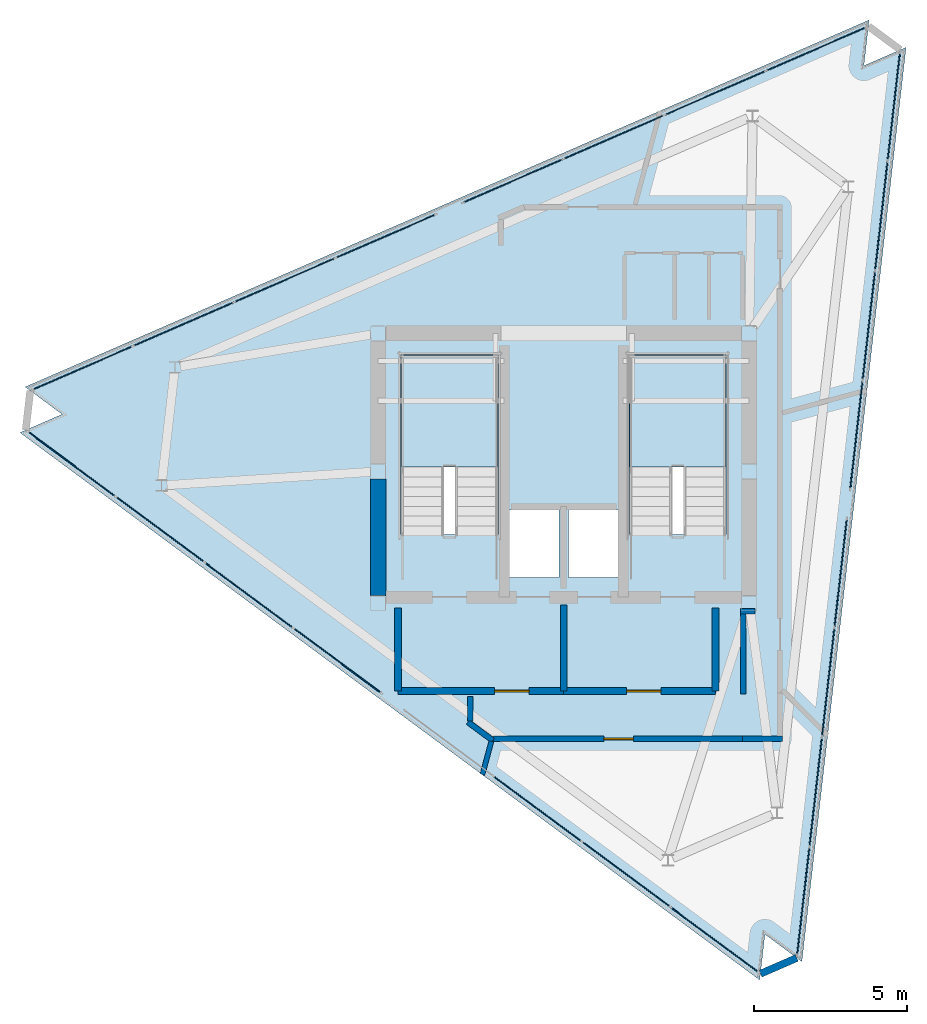
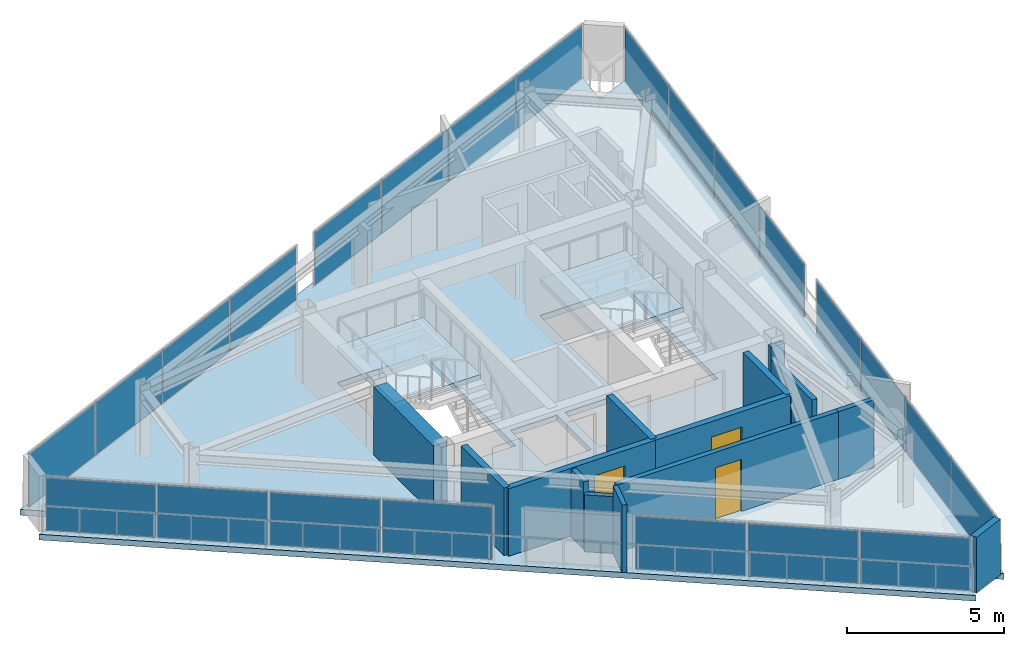
# One storey, part 6 of 9: 23 plates, 14 walls, 3 doors, 3 slabs, 3 openings, 8 elements without a shape of their own.
"""IFC4 building model written with IfcOpenShell, lengths in metres."""

from ifc_helpers import new_model, si_unit, direction, frame, frame_2d, origin, origin_2d, place, context, subcontext, project, spatial, polyline, rectangle, outline, extrude, material, layer, layer_set, type_object, element, fill, aggregate, save


model = new_model("IFC4")

# Units and contexts
model_context = context("Model", 3, precision=1e-05, world=origin(), true_north=direction((0.0, 1.0)))
body_context = subcontext(model_context, "Body", "Model", "MODEL_VIEW")
ifc_project = project(units=[si_unit("LENGTHUNIT", "METRE"), si_unit("AREAUNIT", "SQUARE_METRE"), si_unit("VOLUMEUNIT", "CUBIC_METRE"), si_unit("PLANEANGLEUNIT", "RADIAN"), si_unit("MASSUNIT", "GRAM", prefix="KILO")], contexts=[model_context])

# Site, building, storey
site_placement = place(None, origin())
site = spatial("IfcSite", under=ifc_project, at=site_placement, CompositionType="ELEMENT")
building_placement = place(site_placement, origin())
building = spatial("IfcBuilding", under=site, at=building_placement, Name="Rocaltana Carrier Exchange", CompositionType="ELEMENT")
storey_placement = place(building_placement, frame((0.0, 0.0, 246.239990234375)))
storey = spatial("IfcBuildingStorey", under=building, at=storey_placement, Name="L78", CompositionType="ELEMENT", Elevation=246.239990234375)

# Curtain wall, plates
ifc_material_1 = material(Name="Aluminium 6063-T6", Category="aluminium")
ifc_layer_1 = layer(ifc_material_1, 0.110107421875)
ifc_layer_set_1 = layer_set([ifc_layer_1], Name="Aluminium 6063-T6")
curtain_wall_type = type_object("IfcCurtainWallType", Name="Crown Lantern Faceted Curtain Wall CW-06", PredefinedType="NOTDEFINED", material=ifc_layer_set_1)
curtain_wall_1_placement = place(storey_placement, origin())
curtain_wall_1 = element("IfcCurtainWall", 1, at=curtain_wall_1_placement, inside=storey, type_object=curtain_wall_type, Name="L78 CW-06 Run CW06-L78-F1S1", PredefinedType="NOTDEFINED")
ifc_material_2 = material(Name="Tempered Laminated Glass", Category="glass")
ifc_layer_2 = layer(ifc_material_2, 0.033935546875)
ifc_layer_set_2 = layer_set([ifc_layer_2], Name="Tempered Laminated Glass")
plate_type = type_object("IfcPlateType", Name="CW-06 Stone-Insulated Vision Panel", PredefinedType="CURTAIN_PANEL", material=ifc_layer_set_2)
plate_1_placement = place(storey_placement, frame((7.810546875, -14.010498046875, 0.054931640625), z_axis=(0.0, 0.0, 1.0), x_axis=(0.113207757829, 0.993571337936, 0.0)))
plate_1 = element("IfcPlate", 2, at=plate_1_placement, type_object=plate_type, Name="CW-06 panel 1.1", PredefinedType="CURTAIN_PANEL", context=body_context, shape_type="SweptSolid", body=[
    extrude(rectangle(XDim=3.517578125, YDim=0.033935546875, at=origin_2d()), origin(), (0.0, 0.0, 1.0), 2.05810546875),
])
plate_2_placement = place(storey_placement, frame((8.21630859375, -10.447265625, 0.054931640625), z_axis=(0.0, 0.0, 1.0), x_axis=(0.113207757829, 0.993571337936, 0.0)))
plate_2 = element("IfcPlate", 3, at=plate_2_placement, type_object=plate_type, Name="CW-06 panel 2.1", PredefinedType="CURTAIN_PANEL", context=body_context, shape_type="SweptSolid", body=[
    extrude(rectangle(XDim=3.544921875, YDim=0.033935546875, at=origin_2d()), origin(), (0.0, 0.0, 1.0), 2.05810546875),
])
plate_3_placement = place(storey_placement, frame((8.6240234375, -6.870361328125, 0.054931640625), z_axis=(0.0, 0.0, 1.0), x_axis=(0.113207757829, 0.993571337936, 0.0)))
plate_3 = element("IfcPlate", 4, at=plate_3_placement, type_object=plate_type, Name="CW-06 panel 3.1", PredefinedType="CURTAIN_PANEL", context=body_context, shape_type="SweptSolid", body=[
    extrude(rectangle(XDim=3.544921875, YDim=0.033935546875, at=origin_2d()), origin(), (0.0, 0.0, 1.0), 2.05810546875),
])
plate_4_placement = place(storey_placement, frame((9.030029296875, -3.30712890625, 0.054931640625), z_axis=(0.0, 0.0, 1.0), x_axis=(0.113207757829, 0.993571337936, 0.0)))
plate_4 = element("IfcPlate", 5, at=plate_4_placement, type_object=plate_type, Name="CW-06 panel 4.1", PredefinedType="CURTAIN_PANEL", context=body_context, shape_type="SweptSolid", body=[
    extrude(rectangle(XDim=3.517578125, YDim=0.033935546875, at=origin_2d()), origin(), (0.0, 0.0, 1.0), 2.05810546875),
])
aggregate(curtain_wall_1, [plate_1, plate_2, plate_3, plate_4])

curtain_wall_2_placement = place(storey_placement, origin())
curtain_wall_2 = element("IfcCurtainWall", 6, at=curtain_wall_2_placement, inside=storey, type_object=curtain_wall_type, Name="L78 CW-06 Run CW06-L78-F1S2", PredefinedType="NOTDEFINED")
plate_5_placement = place(storey_placement, frame((9.54248046875, 1.191162109375, 0.054931640625), z_axis=(0.0, 0.0, 1.0), x_axis=(0.113208538941, 0.993571248935, 0.0)))
plate_5 = element("IfcPlate", 7, at=plate_5_placement, type_object=plate_type, Name="CW-06 panel 1.1", PredefinedType="CURTAIN_PANEL", context=body_context, shape_type="SweptSolid", body=[
    extrude(rectangle(XDim=3.517578125, YDim=0.033935546875, at=origin_2d()), origin(), (0.0, 0.0, 1.0), 2.05810546875),
])
plate_6_placement = place(storey_placement, frame((9.948486328125, 4.75439453125, 0.054931640625), z_axis=(0.0, 0.0, 1.0), x_axis=(0.113208538941, 0.993571248935, 0.0)))
plate_6 = element("IfcPlate", 8, at=plate_6_placement, type_object=plate_type, Name="CW-06 panel 2.1", PredefinedType="CURTAIN_PANEL", context=body_context, shape_type="SweptSolid", body=[
    extrude(rectangle(XDim=3.544921875, YDim=0.033935546875, at=origin_2d()), origin(), (0.0, 0.0, 1.0), 2.05810546875),
])
plate_7_placement = place(storey_placement, frame((10.35595703125, 8.331298828125, 0.054931640625), z_axis=(0.0, 0.0, 1.0), x_axis=(0.113208538941, 0.993571248935, 0.0)))
plate_7 = element("IfcPlate", 9, at=plate_7_placement, type_object=plate_type, Name="CW-06 panel 3.1", PredefinedType="CURTAIN_PANEL", context=body_context, shape_type="SweptSolid", body=[
    extrude(rectangle(XDim=3.544921875, YDim=0.033935546875, at=origin_2d()), origin(), (0.0, 0.0, 1.0), 2.05810546875),
])
plate_8_placement = place(storey_placement, frame((10.761962890625, 11.89453125, 0.054931640625), z_axis=(0.0, 0.0, 1.0), x_axis=(0.113208538941, 0.993571248935, 0.0)))
plate_8 = element("IfcPlate", 10, at=plate_8_placement, type_object=plate_type, Name="CW-06 panel 4.1", PredefinedType="CURTAIN_PANEL", context=body_context, shape_type="SweptSolid", body=[
    extrude(rectangle(XDim=3.517578125, YDim=0.033935546875, at=origin_2d()), origin(), (0.0, 0.0, 1.0), 2.05810546875),
])
aggregate(curtain_wall_2, [plate_5, plate_6, plate_7, plate_8])

curtain_wall_3_placement = place(storey_placement, origin())
curtain_wall_3 = element("IfcCurtainWall", 11, at=curtain_wall_3_placement, inside=storey, type_object=curtain_wall_type, Name="L78 CW-06 Run CW06-L78-F2S1", PredefinedType="NOTDEFINED")
plate_9_placement = place(storey_placement, frame((8.228271484375, 13.769287109375, 0.054931640625), z_axis=(0.0, 0.0, 1.0), x_axis=(-0.917059015406, -0.398751504402, 0.0)))
plate_9 = element("IfcPlate", 12, at=plate_9_placement, type_object=plate_type, Name="CW-06 panel 1.1", PredefinedType="CURTAIN_PANEL", context=body_context, shape_type="SweptSolid", body=[
    extrude(rectangle(XDim=3.517578125, YDim=0.033935546875, at=origin_2d()), origin(), (0.0, 0.0, 1.0), 2.05810546875),
])
plate_10_placement = place(storey_placement, frame((4.939453125, 12.33935546875, 0.054931640625), z_axis=(0.0, 0.0, 1.0), x_axis=(-0.917059015406, -0.398751504402, 0.0)))
plate_10 = element("IfcPlate", 13, at=plate_10_placement, type_object=plate_type, Name="CW-06 panel 2.1", PredefinedType="CURTAIN_PANEL", context=body_context, shape_type="SweptSolid", body=[
    extrude(rectangle(XDim=3.544921875, YDim=0.033935546875, at=origin_2d()), origin(), (0.0, 0.0, 1.0), 2.05810546875),
])
plate_11_placement = place(storey_placement, frame((1.637939453125, 10.90380859375, 0.054931640625), z_axis=(0.0, 0.0, 1.0), x_axis=(-0.917059015406, -0.398751504402, 0.0)))
plate_11 = element("IfcPlate", 14, at=plate_11_placement, type_object=plate_type, Name="CW-06 panel 3.1", PredefinedType="CURTAIN_PANEL", context=body_context, shape_type="SweptSolid", body=[
    extrude(rectangle(XDim=3.544921875, YDim=0.033935546875, at=origin_2d()), origin(), (0.0, 0.0, 1.0), 2.05810546875),
])
plate_12_placement = place(storey_placement, frame((-1.65087890625, 9.4736328125, 0.054931640625), z_axis=(0.0, 0.0, 1.0), x_axis=(-0.917059015406, -0.398751504402, 0.0)))
plate_12 = element("IfcPlate", 15, at=plate_12_placement, type_object=plate_type, Name="CW-06 panel 4.1", PredefinedType="CURTAIN_PANEL", context=body_context, shape_type="SweptSolid", body=[
    extrude(rectangle(XDim=3.517578125, YDim=0.033935546875, at=origin_2d()), origin(), (0.0, 0.0, 1.0), 2.05810546875),
])
aggregate(curtain_wall_3, [plate_9, plate_10, plate_11, plate_12])

curtain_wall_4_placement = place(storey_placement, origin())
curtain_wall_4 = element("IfcCurtainWall", 16, at=curtain_wall_4_placement, inside=storey, type_object=curtain_wall_type, Name="L78 CW-06 Run CW06-L78-F2S2", PredefinedType="NOTDEFINED")
plate_13_placement = place(storey_placement, frame((-5.802734375, 7.66845703125, 0.054931640625), z_axis=(0.0, 0.0, 1.0), x_axis=(-0.917060119587, -0.398748964968, 0.0)))
plate_13 = element("IfcPlate", 17, at=plate_13_placement, type_object=plate_type, Name="CW-06 panel 1.1", PredefinedType="CURTAIN_PANEL", context=body_context, shape_type="SweptSolid", body=[
    extrude(rectangle(XDim=3.517578125, YDim=0.033935546875, at=origin_2d()), origin(), (0.0, 0.0, 1.0), 2.05810546875),
])
plate_14_placement = place(storey_placement, frame((-9.091552734375, 6.238525390625, 0.054931640625), z_axis=(0.0, 0.0, 1.0), x_axis=(-0.917060119587, -0.398748964968, 0.0)))
plate_14 = element("IfcPlate", 18, at=plate_14_placement, type_object=plate_type, Name="CW-06 panel 2.1", PredefinedType="CURTAIN_PANEL", context=body_context, shape_type="SweptSolid", body=[
    extrude(rectangle(XDim=3.544921875, YDim=0.033935546875, at=origin_2d()), origin(), (0.0, 0.0, 1.0), 2.05810546875),
])
plate_15_placement = place(storey_placement, frame((-12.39306640625, 4.802978515625, 0.054931640625), z_axis=(0.0, 0.0, 1.0), x_axis=(-0.917060119587, -0.398748964968, 0.0)))
plate_15 = element("IfcPlate", 19, at=plate_15_placement, type_object=plate_type, Name="CW-06 panel 3.1", PredefinedType="CURTAIN_PANEL", context=body_context, shape_type="SweptSolid", body=[
    extrude(rectangle(XDim=3.544921875, YDim=0.033935546875, at=origin_2d()), origin(), (0.0, 0.0, 1.0), 2.05810546875),
])
plate_16_placement = place(storey_placement, frame((-15.681884765625, 3.373046875, 0.054931640625), z_axis=(0.0, 0.0, 1.0), x_axis=(-0.917060119587, -0.398748964968, 0.0)))
plate_16 = element("IfcPlate", 20, at=plate_16_placement, type_object=plate_type, Name="CW-06 panel 4.1", PredefinedType="CURTAIN_PANEL", context=body_context, shape_type="SweptSolid", body=[
    extrude(rectangle(XDim=3.517578125, YDim=0.033935546875, at=origin_2d()), origin(), (0.0, 0.0, 1.0), 2.05810546875),
])
aggregate(curtain_wall_4, [plate_13, plate_14, plate_15, plate_16])

curtain_wall_5_placement = place(storey_placement, origin())
curtain_wall_5 = element("IfcCurtainWall", 21, at=curtain_wall_5_placement, inside=storey, type_object=curtain_wall_type, Name="L78 CW-06 Run CW06-L78-F3S1", PredefinedType="NOTDEFINED")
plate_17_placement = place(storey_placement, frame((-16.038818359375, 0.2412109375, 0.054931640625), z_axis=(0.0, 0.0, 1.0), x_axis=(0.803859962623, -0.594818594609, 0.0)))
plate_17 = element("IfcPlate", 22, at=plate_17_placement, type_object=plate_type, Name="CW-06 panel 1.1", PredefinedType="CURTAIN_PANEL", context=body_context, shape_type="SweptSolid", body=[
    extrude(rectangle(XDim=3.517578125, YDim=0.033935546875, at=origin_2d()), origin(), (0.0, 0.0, 1.0), 2.05810546875),
])
plate_18_placement = place(storey_placement, frame((-13.15576171875, -1.89208984375, 0.054931640625), z_axis=(0.0, 0.0, 1.0), x_axis=(0.803859962623, -0.594818594609, 0.0)))
plate_18 = element("IfcPlate", 23, at=plate_18_placement, type_object=plate_type, Name="CW-06 panel 2.1", PredefinedType="CURTAIN_PANEL", context=body_context, shape_type="SweptSolid", body=[
    extrude(rectangle(XDim=3.544921875, YDim=0.033935546875, at=origin_2d()), origin(), (0.0, 0.0, 1.0), 2.05810546875),
])
plate_19_placement = place(storey_placement, frame((-10.261962890625, -4.033447265625, 0.054931640625), z_axis=(0.0, 0.0, 1.0), x_axis=(0.803859962623, -0.594818594609, 0.0)))
plate_19 = element("IfcPlate", 24, at=plate_19_placement, type_object=plate_type, Name="CW-06 panel 3.1", PredefinedType="CURTAIN_PANEL", context=body_context, shape_type="SweptSolid", body=[
    extrude(rectangle(XDim=3.544921875, YDim=0.033935546875, at=origin_2d()), origin(), (0.0, 0.0, 1.0), 2.05810546875),
])
plate_20_placement = place(storey_placement, frame((-7.379150390625, -6.16650390625, 0.054931640625), z_axis=(0.0, 0.0, 1.0), x_axis=(0.803859962623, -0.594818594609, 0.0)))
plate_20 = element("IfcPlate", 25, at=plate_20_placement, type_object=plate_type, Name="CW-06 panel 4.1", PredefinedType="CURTAIN_PANEL", context=body_context, shape_type="SweptSolid", body=[
    extrude(rectangle(XDim=3.517578125, YDim=0.033935546875, at=origin_2d()), origin(), (0.0, 0.0, 1.0), 2.05810546875),
])
aggregate(curtain_wall_5, [plate_17, plate_18, plate_19, plate_20])

curtain_wall_6_placement = place(storey_placement, origin())
curtain_wall_6 = element("IfcCurtainWall", 26, at=curtain_wall_6_placement, inside=storey, type_object=curtain_wall_type, Name="L78 CW-06 Run CW06-L78-F3S2", PredefinedType="NOTDEFINED")
plate_21_placement = place(storey_placement, frame((-0.856689453125, -10.99267578125, 0.054931640625), z_axis=(0.0, 0.0, 1.0), x_axis=(0.80385418508, -0.594826402516, 0.0)))
plate_21 = element("IfcPlate", 27, at=plate_21_placement, type_object=plate_type, Name="CW-06 panel 2.1", PredefinedType="CURTAIN_PANEL", context=body_context, shape_type="SweptSolid", body=[
    extrude(rectangle(XDim=3.544921875, YDim=0.033935546875, at=origin_2d()), origin(), (0.0, 0.0, 1.0), 2.05810546875),
])
plate_22_placement = place(storey_placement, frame((2.037109375, -13.134033203125, 0.054931640625), z_axis=(0.0, 0.0, 1.0), x_axis=(0.80385418508, -0.594826402516, 0.0)))
plate_22 = element("IfcPlate", 28, at=plate_22_placement, type_object=plate_type, Name="CW-06 panel 3.1", PredefinedType="CURTAIN_PANEL", context=body_context, shape_type="SweptSolid", body=[
    extrude(rectangle(XDim=3.544921875, YDim=0.033935546875, at=origin_2d()), origin(), (0.0, 0.0, 1.0), 2.05810546875),
])
plate_23_placement = place(storey_placement, frame((4.919921875, -15.267333984375, 0.054931640625), z_axis=(0.0, 0.0, 1.0), x_axis=(0.80385418508, -0.594826402516, 0.0)))
plate_23 = element("IfcPlate", 29, at=plate_23_placement, type_object=plate_type, Name="CW-06 panel 4.1", PredefinedType="CURTAIN_PANEL", context=body_context, shape_type="SweptSolid", body=[
    extrude(rectangle(XDim=3.517578125, YDim=0.033935546875, at=origin_2d()), origin(), (0.0, 0.0, 1.0), 2.05810546875),
])
aggregate(curtain_wall_6, [plate_21, plate_22, plate_23])

# Slab
ifc_material_3 = material(Name="Concrete C50/60", Category="concrete")
ifc_layer_3 = layer(ifc_material_3, 0.219970703125)
ifc_layer_set_3 = layer_set([ifc_layer_3], Name="Concrete C50/60")
slab_type_1 = type_object("IfcSlabType", Name="Crown Pyramid Slab 220", PredefinedType="FLOOR", material=ifc_layer_set_3)
slab_1_placement = place(storey_placement, frame((0.0, 0.0, -0.219970703125)))
element("IfcSlab", 30, at=slab_1_placement, inside=storey, type_object=slab_type_1, Name="L78 Structural Floor Slab", PredefinedType="FLOOR", context=body_context, shape_type="SweptSolid", body=[
    extrude(outline(polyline([(6.391357421875, -16.580078125), (6.561279296875, -15.089599609375), (7.76708984375, -15.98193359375), (11.1630859375, 13.8251953125), (9.78759765625, 13.22705078125), (9.957275390625, 14.71728515625), (-17.554443359375, 2.7548828125), (-16.3486328125, 1.86279296875), (-17.724365234375, 1.2646484375), (6.391357421875, -16.580078125)]), holes=[polyline([(-5.300048828125, -2.06005859375), (-2.139892578125, -2.06005859375), (-2.139892578125, 3.800048828125), (-5.300048828125, 3.800048828125), (-5.300048828125, -2.06005859375)]), polyline([(2.139892578125, -2.06005859375), (5.300048828125, -2.06005859375), (5.300048828125, 3.800048828125), (2.139892578125, 3.800048828125), (2.139892578125, -2.06005859375)]), polyline([(-1.85009765625, -3.449951171875), (-0.14990234375, -3.449951171875), (-0.14990234375, -1.25), (-1.85009765625, -1.25), (-1.85009765625, -3.449951171875)]), polyline([(0.14990234375, -3.449951171875), (1.85009765625, -3.449951171875), (1.85009765625, -1.25), (0.14990234375, -1.25), (0.14990234375, -3.449951171875)])]), origin(), (0.0, 0.0, 1.0), 0.219970703125),
])

# Stair, slab
ifc_material_4 = material(Name="Precast concrete C45/55", Category="concrete")
stair_type = type_object("IfcStairType", Name="Standard Dog-Leg Stair 160", PredefinedType="HALF_TURN_STAIR", material=ifc_material_4)
stair_1_placement = place(storey_placement, origin())
stair_1 = element("IfcStair", 31, at=stair_1_placement, inside=storey, type_object=stair_type, Name="L78 Core West Exit Stair ST-1", PredefinedType="HALF_TURN_STAIR")
ifc_material_5 = material(Name="Precast concrete C45/55", Category="concrete")
ifc_layer_4 = layer(ifc_material_5, 0.199951171875)
ifc_layer_set_4 = layer_set([ifc_layer_4], Name="Precast concrete C45/55")
slab_type_2 = type_object("IfcSlabType", Name="Precast Stair Half-Landing 200", PredefinedType="LANDING", material=ifc_layer_set_4)
slab_2_placement = place(storey_placement, frame((0.0, 0.0, 1.239990234375)))
slab_2 = element("IfcSlab", 32, at=slab_2_placement, type_object=slab_type_2, Name="ST-1 landing 1", PredefinedType="LANDING", context=body_context, shape_type="SweptSolid", body=[
    extrude(outline(polyline([(-2.139892578125, 0.139892578125), (-2.139892578125, 3.800048828125), (-5.300048828125, 3.800048828125), (-5.300048828125, 0.139892578125), (-2.139892578125, 0.139892578125)])), origin(), (0.0, 0.0, 1.0), 0.199951171875),
])
aggregate(stair_1, [slab_2])

stair_2_placement = place(storey_placement, origin())
stair_2 = element("IfcStair", 33, at=stair_2_placement, inside=storey, type_object=stair_type, Name="L78 Core East Exit Stair ST-2", PredefinedType="HALF_TURN_STAIR")
slab_3_placement = place(storey_placement, frame((0.0, 0.0, 1.239990234375)))
slab_3 = element("IfcSlab", 34, at=slab_3_placement, type_object=slab_type_2, Name="ST-2 landing 1", PredefinedType="LANDING", context=body_context, shape_type="SweptSolid", body=[
    extrude(outline(polyline([(5.300048828125, 0.139892578125), (5.300048828125, 3.800048828125), (2.139892578125, 3.800048828125), (2.139892578125, 0.139892578125), (5.300048828125, 0.139892578125)])), origin(), (0.0, 0.0, 1.0), 0.199951171875),
])
aggregate(stair_2, [slab_3])

# Walls
ifc_material_6 = material(Name="Double Acoustic Gypsum Partition", Category="gypsum")
ifc_layer_5 = layer(ifc_material_6, 0.159912109375)
ifc_layer_set_5 = layer_set([ifc_layer_5], Name="Double Acoustic Gypsum Partition")
wall_type_1 = type_object("IfcWallType", Name="Acoustic Studio Partition 160 EI60", PredefinedType="PARTITIONING", material=ifc_layer_set_5)
wall_1_placement = place(storey_placement, frame((-2.35791015625, -8.800048828125, 0.0), z_axis=(0.0, 0.0, 1.0), x_axis=(-0.258899893442, -0.965904159415, 0.0)))
element("IfcWall", 35, at=wall_1_placement, inside=storey, type_object=wall_type_1, Name="L78 Suite Divider Wall D1", PredefinedType="PARTITIONING", context=body_context, shape_type="SweptSolid", body=[
    extrude(rectangle(XDim=1.117431640625, YDim=0.159912109375, at=frame_2d((0.55859375, 0.0))), origin(), (0.0, 0.0, 1.0), 2.623046875),
])
ifc_material_7 = material(Name="Concrete C50/60", Category="concrete")
ifc_layer_6 = layer(ifc_material_7, 0.5)
ifc_layer_set_6 = layer_set([ifc_layer_6], Name="Concrete C50/60")
wall_type_2 = type_object("IfcWallType", Name="Core Shear Wall 500", PredefinedType="SHEAR", material=ifc_layer_set_6)
wall_2_placement = place(storey_placement, frame((-6.050048828125, -4.050048828125, 0.0), z_axis=(0.0, 0.0, 1.0), x_axis=(0.0, 1.0, 0.0)))
element("IfcWall", 36, at=wall_2_placement, inside=storey, type_object=wall_type_2, Name="L78 Core Shear Wall CW-WS", PredefinedType="SHEAR", context=body_context, shape_type="SweptSolid", body=[
    extrude(rectangle(XDim=3.800048828125, YDim=0.5, at=frame_2d((1.89990234375, 0.0))), origin(), (0.0, 0.0, 1.0), 2.64794921875),
])
ifc_material_8 = material(Name="Gypsum & Steel Stud Partition", Category="steel")
ifc_layer_7 = layer(ifc_material_8, 0.179931640625)
ifc_layer_set_7 = layer_set([ifc_layer_7], Name="Gypsum & Steel Stud Partition")
wall_type_3 = type_object("IfcWallType", Name="Corridor Fire Partition 180 EI60", PredefinedType="PARTITIONING", material=ifc_layer_set_7)
wall_3_placement = place(storey_placement, frame((-2.309326171875, -8.7734375, 0.0), z_axis=(0.0, 0.0, 1.0), x_axis=(-0.803864984235, 0.594811808155, 0.0)))
element("IfcWall", 37, at=wall_3_placement, inside=storey, type_object=wall_type_3, Name="L78 Corridor Partition 1", PredefinedType="PARTITIONING", context=body_context, shape_type="SweptSolid", body=[
    extrude(rectangle(XDim=1.01123046875, YDim=0.179931640625, at=frame_2d((0.505615234375, 0.0))), origin(), (0.0, 0.0, 1.0), 2.203125),
])
wall_4_placement = place(storey_placement, frame((-3.050048828125, -8.135498046875, 0.0), z_axis=(0.0, 0.0, 1.0), x_axis=(0.0, 1.0, 0.0)))
element("IfcWall", 38, at=wall_4_placement, inside=storey, type_object=wall_type_3, Name="L78 Corridor Partition 2", PredefinedType="PARTITIONING", context=body_context, shape_type="SweptSolid", body=[
    extrude(rectangle(XDim=0.805419921875, YDim=0.179931640625, at=frame_2d((0.40283203125, 0.0))), origin(), (0.0, 0.0, 1.0), 2.623046875),
])
wall_5_placement = place(storey_placement, frame((5.85009765625, -7.260009765625, 0.0), z_axis=(0.0, 0.0, 1.0), x_axis=(0.0, 1.0, 0.0)))
element("IfcWall", 39, at=wall_5_placement, inside=storey, type_object=wall_type_3, Name="L78 Corridor Partition 3", PredefinedType="PARTITIONING", context=body_context, shape_type="SweptSolid", body=[
    extrude(rectangle(XDim=2.610107421875, YDim=0.179931640625, at=frame_2d((1.30517578125, 0.0))), origin(), (0.0, 0.0, 1.0), 2.153076171875),
])
wall_6_placement = place(storey_placement, frame((5.760009765625, -4.56005859375, 0.0), z_axis=(0.0, 0.0, 1.0), x_axis=(1.0, 0.0, 0.0)))
element("IfcWall", 40, at=wall_6_placement, inside=storey, type_object=wall_type_3, Name="L78 Corridor Partition 4", PredefinedType="PARTITIONING", context=body_context, shape_type="SweptSolid", body=[
    extrude(rectangle(XDim=0.47998046875, YDim=0.179931640625, at=frame_2d((0.239990234375, 0.0))), origin(), (0.0, 0.0, 1.0), 2.623046875),
])
wall_7_placement = place(storey_placement, frame((7.139892578125, -8.719970703125, 0.0), z_axis=(0.0, 0.0, 1.0), x_axis=(-1.0, 0.0, 0.0)))
element("IfcWall", 41, at=wall_7_placement, inside=storey, type_object=wall_type_3, Name="L78 Corridor Partition 13", PredefinedType="PARTITIONING", context=body_context, shape_type="SweptSolid", body=[
    extrude(rectangle(XDim=1.309814453125, YDim=0.179931640625, at=frame_2d((0.65478515625, 0.0))), origin(), (0.0, 0.0, 1.0), 2.623046875),
])

# Wall, opening, door
wall_8_placement = place(storey_placement, frame((5.8701171875, -8.719970703125, 0.0), z_axis=(0.0, 0.0, 1.0), x_axis=(-1.0, 0.0, 0.0)))
wall_8 = element("IfcWall", 42, at=wall_8_placement, inside=storey, type_object=wall_type_3, Name="L78 Corridor Partition 14", PredefinedType="PARTITIONING", context=body_context, shape_type="SweptSolid", body=[
    extrude(rectangle(XDim=8.16162109375, YDim=0.179931640625, at=frame_2d((4.080810546875, 0.0))), origin(), (0.0, 0.0, 1.0), 2.623046875),
])
opening_1_placement = place(wall_8_placement, frame((3.600830078125, 0.0, 0.0)))
opening_1 = element("IfcOpeningElement", 43, at=opening_1_placement, cuts=wall_8, Name="Opening D-RM098", PredefinedType="OPENING", context=body_context, shape_type="SweptSolid", body=[
    extrude(rectangle(XDim=0.9599609375, YDim=2.02001953125, at=frame_2d((0.47998046875, 1.010009765625))), frame((0.0, 0.099853515625, 0.0), z_axis=(0.0, -1.0, 0.0), x_axis=(1.0, 0.0, 0.0)), (0.0, 0.0, 1.0), 0.199951171875),
])
ifc_material_9 = material(Name="Engineered Hardwood Timber", Category="wood")
door_type_1 = type_object("IfcDoorType", Name="Workspace Single Door 960x2020", OperationType="NOTDEFINED", PredefinedType="DOOR", material=ifc_material_9)
door_1_placement = place(opening_1_placement, origin())
door_1 = element("IfcDoor", 44, at=door_1_placement, inside=storey, type_object=door_type_1, Name="L78 Cloud Architecture Office Entrance Door", OperationType="SINGLE_SWING_LEFT", OverallHeight=2.02001953125, OverallWidth=0.9599609375, PredefinedType="DOOR", context=body_context, shape_type="SweptSolid", body=[
    extrude(rectangle(XDim=0.9599609375, YDim=2.02001953125, at=frame_2d((0.47998046875, 1.010009765625))), frame((0.0, 0.02490234375, 0.0), z_axis=(0.0, -1.0, 0.0), x_axis=(1.0, 0.0, 0.0)), (0.0, 0.0, 1.0), 0.050048828125),
])
fill(opening_1, door_1)

# Walls
ifc_material_10 = material(Name="Autoclaved Aerated Concrete C30/37", Category="concrete")
ifc_layer_8 = layer(ifc_material_10, 0.219970703125)
ifc_layer_set_8 = layer_set([ifc_layer_8], Name="Autoclaved Aerated Concrete C30/37")
wall_type_4 = type_object("IfcWallType", Name="Firefighting Lobby Wall 220 EI120", PredefinedType="PARTITIONING", material=ifc_layer_set_8)
for number, where, z_axis, x_axis, name in (
    (45, (-5.39990234375, -7.159912109375, 0.0), (0.0, 0.0, 1.0), (0.0, 1.0, 0.0), "L78 FFL Lobby 1 West Wall"),
    (46, (4.949951171875, -7.159912109375, 0.0), (0.0, 0.0, 1.0), (0.0, 1.0, 0.0), "L78 FFL Lobby 2 East Wall"),
):
    element("IfcWall", number, at=place(storey_placement, frame(where, z_axis=z_axis, x_axis=x_axis)), inside=storey, type_object=wall_type_4, Name=name, PredefinedType="PARTITIONING", context=body_context, shape_type="SweptSolid", body=[
        extrude(rectangle(XDim=2.7099609375, YDim=0.219970703125, at=frame_2d((1.35498046875, 0.0))), origin(), (0.0, 0.0, 1.0), 2.623046875),
    ])
wall_9_placement = place(storey_placement, frame((0.0, -7.159912109375, 0.0), z_axis=(0.0, 0.0, 1.0), x_axis=(0.0, 1.0, 0.0)))
element("IfcWall", 47, at=wall_9_placement, inside=storey, type_object=wall_type_4, Name="L78 FFL Lobby Centre Wall", PredefinedType="PARTITIONING", context=body_context, shape_type="SweptSolid", body=[
    extrude(rectangle(XDim=2.809814453125, YDim=0.219970703125, at=frame_2d((1.40478515625, 0.0))), origin(), (0.0, 0.0, 1.0), 2.623046875),
])

# Wall, opening, door
wall_10_placement = place(storey_placement, frame((-5.39990234375, -7.159912109375, 0.0), z_axis=(0.0, 0.0, 1.0), x_axis=(1.0, 0.0, 0.0)))
wall_10 = element("IfcWall", 48, at=wall_10_placement, inside=storey, type_object=wall_type_4, Name="L78 FFL Lobby 1 South Wall", PredefinedType="PARTITIONING", context=body_context, shape_type="SweptSolid", body=[
    extrude(rectangle(XDim=5.39990234375, YDim=0.219970703125, at=frame_2d((2.699951171875, 0.0))), origin(), (0.0, 0.0, 1.0), 2.623046875),
])
opening_2_placement = place(wall_10_placement, frame((3.14990234375, 0.0, 0.0)))
opening_2 = element("IfcOpeningElement", 49, at=opening_2_placement, cuts=wall_10, Name="Opening D-FF115", PredefinedType="OPENING", context=body_context, shape_type="SweptSolid", body=[
    extrude(rectangle(XDim=1.1201171875, YDim=2.02001953125, at=frame_2d((0.56005859375, 1.010009765625))), frame((0.0, 0.119873046875, 0.0), z_axis=(0.0, -1.0, 0.0), x_axis=(1.0, 0.0, 0.0)), (0.0, 0.0, 1.0), 0.239990234375),
])
ifc_material_11 = material(Name="Hollow Metal Fire Door Assembly", Category="steel")
door_type_2 = type_object("IfcDoorType", Name="Firefighting Lobby Door 1120x2020 FD60S", OperationType="NOTDEFINED", PredefinedType="DOOR", material=ifc_material_11)
door_2_placement = place(opening_2_placement, origin())
door_2 = element("IfcDoor", 50, at=door_2_placement, inside=storey, type_object=door_type_2, Name="L78 Firefighting Lift Lobby 1 Door", OperationType="SINGLE_SWING_RIGHT", OverallHeight=2.02001953125, OverallWidth=1.1201171875, PredefinedType="DOOR", context=body_context, shape_type="SweptSolid", body=[
    extrude(rectangle(XDim=1.1201171875, YDim=2.02001953125, at=frame_2d((0.56005859375, 1.010009765625))), frame((0.0, 0.02490234375, 0.0), z_axis=(0.0, -1.0, 0.0), x_axis=(1.0, 0.0, 0.0)), (0.0, 0.0, 1.0), 0.050048828125),
])
fill(opening_2, door_2)

wall_11_placement = place(storey_placement, frame((0.0, -7.159912109375, 0.0), z_axis=(0.0, 0.0, 1.0), x_axis=(1.0, 0.0, 0.0)))
wall_11 = element("IfcWall", 51, at=wall_11_placement, inside=storey, type_object=wall_type_4, Name="L78 FFL Lobby 2 South Wall", PredefinedType="PARTITIONING", context=body_context, shape_type="SweptSolid", body=[
    extrude(rectangle(XDim=4.949951171875, YDim=0.219970703125, at=frame_2d((2.47509765625, 0.0))), origin(), (0.0, 0.0, 1.0), 2.623046875),
])
opening_3_placement = place(wall_11_placement, frame((2.050048828125, 0.0, 0.0)))
opening_3 = element("IfcOpeningElement", 52, at=opening_3_placement, cuts=wall_11, Name="Opening D-FF115", PredefinedType="OPENING", context=body_context, shape_type="SweptSolid", body=[
    extrude(rectangle(XDim=1.1201171875, YDim=2.02001953125, at=frame_2d((0.56005859375, 1.010009765625))), frame((0.0, 0.119873046875, 0.0), z_axis=(0.0, -1.0, 0.0), x_axis=(1.0, 0.0, 0.0)), (0.0, 0.0, 1.0), 0.239990234375),
])
door_3_placement = place(opening_3_placement, origin())
door_3 = element("IfcDoor", 53, at=door_3_placement, inside=storey, type_object=door_type_2, Name="L78 Firefighting Lift Lobby 2 Door", OperationType="SINGLE_SWING_LEFT", OverallHeight=2.02001953125, OverallWidth=1.1201171875, PredefinedType="DOOR", context=body_context, shape_type="SweptSolid", body=[
    extrude(rectangle(XDim=1.1201171875, YDim=2.02001953125, at=frame_2d((0.56005859375, 1.010009765625))), frame((0.0, 0.02490234375, 0.0), z_axis=(0.0, -1.0, 0.0), x_axis=(1.0, 0.0, 0.0)), (0.0, 0.0, 1.0), 0.050048828125),
])
fill(opening_3, door_3)

# Wall
ifc_material_12 = material(Name="Precast sandstone concrete C40/50", Category="masonry")
ifc_layer_9 = layer(ifc_material_12, 0.239990234375)
ifc_layer_set_9 = layer_set([ifc_layer_9], Name="Precast sandstone concrete C40/50")
wall_type_5 = type_object("IfcWallType", Name="Terrace Stone Parapet Wall 240", PredefinedType="PARAPET", material=ifc_layer_set_9)
wall_12_placement = place(storey_placement, frame((6.418212890625, -16.3759765625, 0.0), z_axis=(0.0, 0.0, 1.0), x_axis=(0.917064030228, 0.398739970986, 0.0)))
element("IfcWall", 54, at=wall_12_placement, inside=storey, type_object=wall_type_5, Name="L78 Crown Corner Mullion Wall C3", PredefinedType="PARAPET", context=body_context, shape_type="SweptSolid", body=[
    extrude(rectangle(XDim=1.288330078125, YDim=0.239990234375, at=frame_2d((0.64404296875, 0.0))), origin(), (0.0, 0.0, 1.0), 2.16796875),
])

save(model, "model.ifc")
